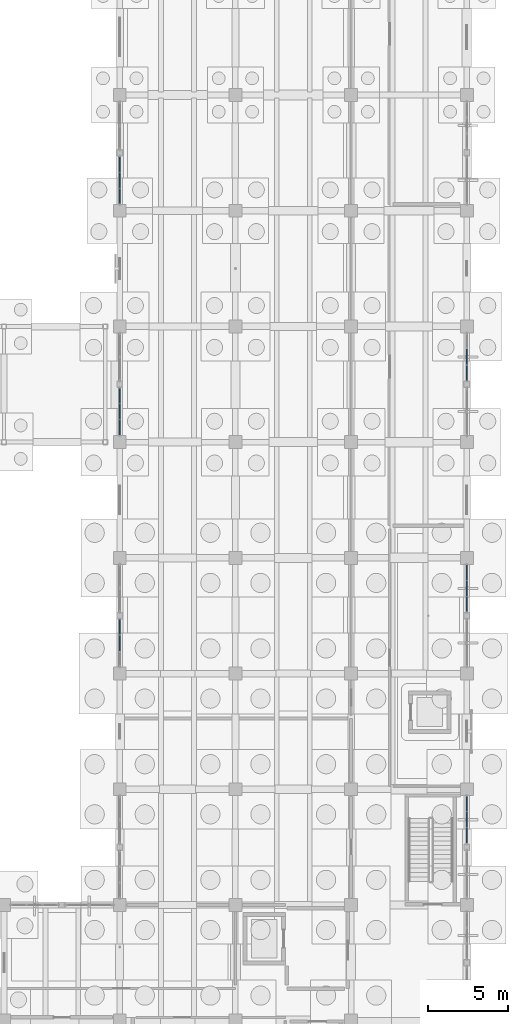
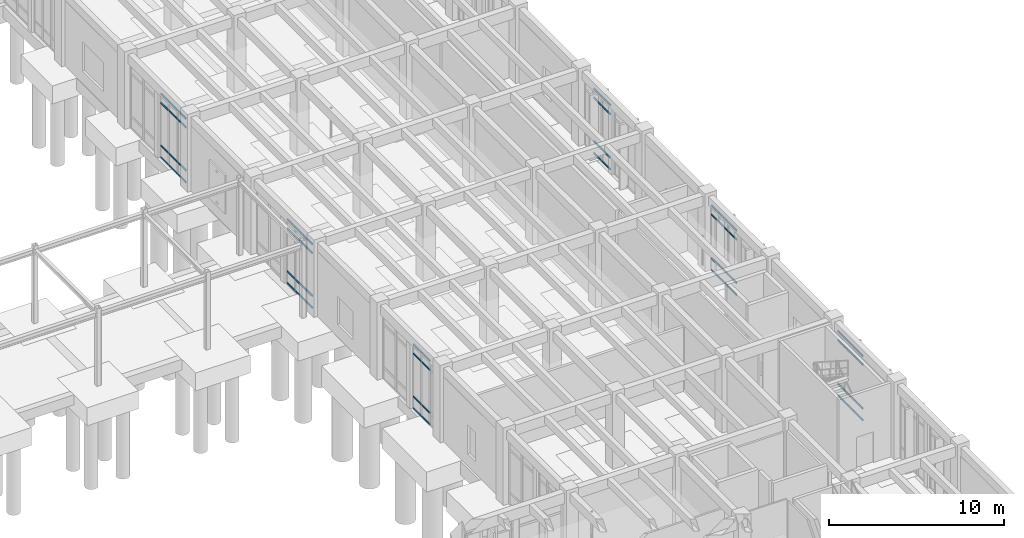
# One storey, part 46 of 93: 64 members, 6 elements without a shape of their own.
"""IFC4 building model written with IfcOpenShell, lengths in metres."""

import ifcopenshell
import ifcopenshell.guid

model = None  # the IFC model being written
_history = None  # IfcOwnerHistory: only IFC2X3 demands one
_inside = {}  # id of a spatial element -> (the spatial element, [elements in it])
_under = {}  # id of a project, library or spatial element -> (it, [spatial elements below it])
_declared = {}  # id of a project -> (the project, [libraries it declares])
_typed = {}  # id of a type object -> (the type object, [elements of that type])
_made_of = {}  # id of a material, layer set ... -> (it, [elements and type objects made of it])


def new_model(schema):
    """Start an empty IFC model of exactly this schema.

    Asked for "IFC4X3", IfcOpenShell would pick the latest addendum, in which some entities
    have other attributes; the version numbers below select the first issue.
    IFC2X3 requires an IfcOwnerHistory on every rooted entity: one is made here for all.
    """
    global model, _history
    if schema == "IFC4X3":
        model = ifcopenshell.file(schema_version=(4, 3, 0, 0))
    else:
        model = ifcopenshell.file(schema=schema)
    _inside.clear()
    _under.clear()
    _declared.clear()
    _typed.clear()
    _made_of.clear()
    _history = None
    if model.schema == "IFC2X3":
        org = make("IfcOrganization", Name="unknown")
        user = make(
            "IfcPersonAndOrganization",
            ThePerson=make("IfcPerson", FamilyName="unknown"),
            TheOrganization=org,
        )
        app = make(
            "IfcApplication",
            ApplicationDeveloper=org,
            Version="unknown",
            ApplicationFullName="unknown",
            ApplicationIdentifier="unknown",
        )
        _history = make(
            "IfcOwnerHistory",
            OwningUser=user,
            OwningApplication=app,
            ChangeAction="ADDED",
            CreationDate=0,
        )
    return model


def make(cls, **values):
    """One entity of the class cls with the attributes given. An attribute that is None is left unset."""
    return model.create_entity(
        cls, **{name: value for name, value in values.items() if value is not None}
    )


def rooted(cls, **values):
    """An entity with a GlobalId (a new one), such as an element, a storey or a relation."""
    return make(cls, GlobalId=ifcopenshell.guid.new(), OwnerHistory=_history, **values)


def si_unit(unit_type, name, prefix=None):
    """IfcSIUnit, for example si_unit("LENGTHUNIT", "METRE", prefix="MILLI")."""
    return make("IfcSIUnit", UnitType=unit_type, Prefix=prefix, Name=name)


def assignment(units):
    """IfcUnitAssignment: the units of a project."""
    return None if units is None else make("IfcUnitAssignment", Units=units)


def point(xyz):
    """IfcCartesianPoint."""
    return None if xyz is None else make("IfcCartesianPoint", Coordinates=xyz)


def direction(xyz):
    """IfcDirection."""
    return None if xyz is None else make("IfcDirection", DirectionRatios=xyz)


def frame(location, z_axis=None, x_axis=None):
    """IfcAxis2Placement3D, a coordinate frame: its origin and axes. An axis left out is left unset."""
    return make(
        "IfcAxis2Placement3D",
        Location=point(location),
        Axis=direction(z_axis),
        RefDirection=direction(x_axis),
    )


def frame_2d(location, x_axis=None):
    """IfcAxis2Placement2D, a coordinate frame in the plane: its origin and x axis."""
    return make(
        "IfcAxis2Placement2D", Location=point(location), RefDirection=direction(x_axis)
    )


def origin():
    """The frame at (0, 0, 0) with its axes left unset."""
    return frame((0.0, 0.0, 0.0))


def origin_2d():
    """The frame at (0, 0) in the plane with its x axis left unset."""
    return frame_2d((0.0, 0.0))


def place(relative_to, where):
    """IfcLocalPlacement: puts the frame where relative to a parent placement (None: the world)."""
    return make(
        "IfcLocalPlacement", PlacementRelTo=relative_to, RelativePlacement=where
    )


def context(
    kind, dimensions, precision=None, world=None, true_north=None, identifier=None
):
    """IfcGeometricRepresentationContext, for example the 3D "Model" context."""
    return make(
        "IfcGeometricRepresentationContext",
        ContextIdentifier=identifier,
        ContextType=kind,
        CoordinateSpaceDimension=dimensions,
        Precision=precision,
        WorldCoordinateSystem=world,
        TrueNorth=true_north,
    )


def subcontext(parent, identifier, kind, view, scale=None):
    """IfcGeometricRepresentationSubContext, for example "Body" below "Model"."""
    return make(
        "IfcGeometricRepresentationSubContext",
        ContextIdentifier=identifier,
        ContextType=kind,
        ParentContext=parent,
        TargetScale=scale,
        TargetView=view,
    )


def project(units=None, contexts=None):
    """IfcProject with its units and contexts."""
    return rooted(
        "IfcProject",
        Name="project",
        RepresentationContexts=contexts,
        UnitsInContext=assignment(units),
    )


def spatial(cls, under=None, at=None, **own):
    """A site, building, storey or space (cls), placed at a placement, below another one or the project."""
    s = rooted(cls, ObjectPlacement=at, **own)
    if under is not None:
        _under.setdefault(under.id(), (under, []))[1].append(s)
    return s


def profile(cls, at=None, kind="AREA", **sizes):
    """A parametric profile (cls). Its sizes go by their IFC names, for example OverallWidth=200.0."""
    return make(cls, ProfileType=kind, Position=at, **sizes)


def rectangle(**sizes):
    """IfcRectangleProfileDef."""
    return profile("IfcRectangleProfileDef", **sizes)


def extrude(swept, where, along, depth):
    """IfcExtrudedAreaSolid: the profile swept, set in the frame where, extruded along a direction by depth."""
    return make(
        "IfcExtrudedAreaSolid",
        SweptArea=swept,
        Position=where,
        ExtrudedDirection=direction(along),
        Depth=depth,
    )


def shape(context_of_items, identifier, shape_type, items):
    """IfcShapeRepresentation: the items that make up one representation, for example the "Body"."""
    return make(
        "IfcShapeRepresentation",
        ContextOfItems=context_of_items,
        RepresentationIdentifier=identifier,
        RepresentationType=shape_type,
        Items=items,
    )


def material(Name=None, Category=None):
    """IfcMaterial."""
    return make("IfcMaterial", Name=Name, Category=Category)


def layer(
    of_material, thickness, ventilated=None, Name=None, Category=None, Priority=None
):
    """IfcMaterialLayer: one layer of a wall or slab, of a material (None: an air gap)."""
    return make(
        "IfcMaterialLayer",
        Material=of_material,
        LayerThickness=thickness,
        IsVentilated=ventilated,
        Name=Name,
        Category=Category,
        Priority=Priority,
    )


def layer_set(layers, Name=None):
    """IfcMaterialLayerSet."""
    return make("IfcMaterialLayerSet", MaterialLayers=layers, LayerSetName=Name)


def material_profile(
    of_material, cross_section, Name=None, Category=None, Priority=None
):
    """IfcMaterialProfile: a cross section and its material."""
    return make(
        "IfcMaterialProfile",
        Name=Name,
        Material=of_material,
        Profile=cross_section,
        Priority=Priority,
        Category=Category,
    )


def profile_set(profiles, Name=None, composite=None):
    """IfcMaterialProfileSet."""
    return make(
        "IfcMaterialProfileSet",
        Name=Name,
        MaterialProfiles=profiles,
        CompositeProfile=composite,
    )


def made_of(thing, what):
    """Note that an element or type object is made of a material, layer set ...; save() writes the relation."""
    if what is not None:
        _made_of.setdefault(what.id(), (what, []))[1].append(thing)
    return thing


def type_object(cls, material=None, **own):
    """A type object (cls), such as IfcWallType, which elements share."""
    return made_of(rooted(cls, **own), material)


def element(
    cls,
    number,
    at=None,
    inside=None,
    cuts=None,
    type_object=None,
    material=None,
    context=None,
    identifier="Body",
    shape_type=None,
    held_by="IfcProductDefinitionShape",
    body=None,
    shapes=None,
    **own,
):
    """One element of the class cls, such as IfcWall. Its Tag is "e" and its number.

    at: its placement. inside: the storey or other place that contains it. cuts: it is an
    opening in that element (IfcRelVoidsElement). A single representation is given by context,
    identifier, shape_type and body (its items); several are given by shapes. held_by: the class
    of the entity that holds the representations. save() writes the other relations.
    """
    e = rooted(cls, Tag="e%d" % number, ObjectPlacement=at, **own)
    if body is not None:
        shapes = [shape(context, identifier, shape_type, body)]
    if shapes is not None:
        e.Representation = make(held_by, Representations=shapes)
    if inside is not None:
        _inside.setdefault(inside.id(), (inside, []))[1].append(e)
    if cuts is not None:
        rooted(
            "IfcRelVoidsElement", RelatingBuildingElement=cuts, RelatedOpeningElement=e
        )
    if type_object is not None:
        _typed.setdefault(type_object.id(), (type_object, []))[1].append(e)
    return made_of(e, material)


def aggregate(whole, parts):
    """IfcRelAggregates: a whole, such as a stair, and the parts it consists of."""
    return rooted("IfcRelAggregates", RelatingObject=whole, RelatedObjects=parts)


def save(model, path):
    """Write the relations noted so far, then the file.

    IfcRelAggregates (storeys below a building ...), IfcRelContainedInSpatialStructure (elements
    in a storey), IfcRelDefinesByType, IfcRelAssociatesMaterial and IfcRelDeclares: one each for
    every whole, place, type object, material and project.
    """
    for whole, parts in _under.values():
        aggregate(whole, parts)
    for where, things in _inside.values():
        rooted(
            "IfcRelContainedInSpatialStructure",
            RelatedElements=things,
            RelatingStructure=where,
        )
    for kind, things in _typed.values():
        rooted("IfcRelDefinesByType", RelatedObjects=things, RelatingType=kind)
    for what, things in _made_of.values():
        rooted("IfcRelAssociatesMaterial", RelatedObjects=things, RelatingMaterial=what)
    for by, libraries in _declared.values():
        rooted("IfcRelDeclares", RelatingContext=by, RelatedDefinitions=libraries)
    model.write(path)


model = new_model("IFC4")

# Units and contexts
model_context = context("Model", 3, precision=1e-05, world=origin(), true_north=direction((0.0, 1.0)))
body_context = subcontext(model_context, "Body", "Model", "MODEL_VIEW")
ifc_project = project(units=[si_unit("LENGTHUNIT", "METRE"), si_unit("AREAUNIT", "SQUARE_METRE"), si_unit("VOLUMEUNIT", "CUBIC_METRE"), si_unit("PLANEANGLEUNIT", "RADIAN"), si_unit("MASSUNIT", "GRAM", prefix="KILO")], contexts=[model_context])

# Site, building, storey
site_placement = place(None, origin())
site = spatial("IfcSite", under=ifc_project, at=site_placement, CompositionType="ELEMENT")
building_placement = place(site_placement, origin())
building = spatial("IfcBuilding", under=site, at=building_placement, Name="Koriwan Promenade Central Fire Station", CompositionType="ELEMENT")
storey_placement = place(building_placement, origin())
storey = spatial("IfcBuildingStorey", under=building, at=storey_placement, Name="L00", CompositionType="ELEMENT", Elevation=0.0)

# Curtain wall, members
ifc_material_1 = material(Name="Aluminium EN AW-6063-T6 and low-E glazing", Category="aluminium")
ifc_layer_1 = layer(ifc_material_1, 0.159912109375, Name="Aluminium EN AW-6063-T6 and low-E glazing")
ifc_layer_set_1 = layer_set([ifc_layer_1], Name="Aluminium EN AW-6063-T6 and low-E glazing")
curtain_wall_type_1 = type_object("IfcCurtainWallType", Name="CurtainWall_51_300x449", PredefinedType="USERDEFINED", material=ifc_layer_set_1)
curtain_wall_1_placement = place(storey_placement, origin())
curtain_wall_1 = element("IfcCurtainWall", 1, at=curtain_wall_1_placement, inside=storey, type_object=curtain_wall_type_1, Name="V5 L00 unitised curtain wall 137", ObjectType="UNITISED CURTAIN WALL", PredefinedType="USERDEFINED")
ifc_material_2 = material(Name="Aluminium EN AW-6063-T6", Category="aluminium")
ifc_material_profile = material_profile(ifc_material_2, rectangle(XDim=0.06494140625, YDim=0.1201171875, at=origin_2d()), Name="ALU-TRN-65x120")
ifc_profile_set = profile_set([ifc_material_profile], Name="Aluminium EN AW-6063-T6")
member_type = type_object("IfcMemberType", Name="CWTransom_ALU-TRN-65x120", PredefinedType="USERDEFINED", material=ifc_profile_set)
member_1_placement = place(storey_placement, frame((151.199951171875, 30.232421875, 0.032470703125), z_axis=(0.0, 1.0, 0.0), x_axis=(-1.0, 0.0, 0.0)))
member_1 = element("IfcMember", 2, at=member_1_placement, type_object=member_type, Name="CW-51 transom 2.1", ObjectType="TRANSOM", PredefinedType="USERDEFINED", context=body_context, shape_type="SweptSolid", body=[
    extrude(rectangle(XDim=0.06494140625, YDim=0.1201171875, at=origin_2d()), origin(), (0.0, 0.0, 1.0), 0.93505859375),
])
member_2_placement = place(storey_placement, frame((151.199951171875, 30.232421875, 0.85009765625), z_axis=(0.0, 1.0, 0.0), x_axis=(-1.0, 0.0, 0.0)))
member_2 = element("IfcMember", 3, at=member_2_placement, type_object=member_type, Name="CW-51 transom 2.2", ObjectType="TRANSOM", PredefinedType="USERDEFINED", context=body_context, shape_type="SweptSolid", body=[
    extrude(rectangle(XDim=0.06494140625, YDim=0.1201171875, at=origin_2d()), origin(), (0.0, 0.0, 1.0), 0.93505859375),
])
member_3_placement = place(storey_placement, frame((151.199951171875, 30.232421875, 3.840087890625), z_axis=(0.0, 1.0, 0.0), x_axis=(-1.0, 0.0, 0.0)))
member_3 = element("IfcMember", 4, at=member_3_placement, type_object=member_type, Name="CW-51 transom 2.3", ObjectType="TRANSOM", PredefinedType="USERDEFINED", context=body_context, shape_type="SweptSolid", body=[
    extrude(rectangle(XDim=0.06494140625, YDim=0.1201171875, at=origin_2d()), origin(), (0.0, 0.0, 1.0), 0.93505859375),
])
member_4_placement = place(storey_placement, frame((151.199951171875, 30.232421875, 4.45751953125), z_axis=(0.0, 1.0, 0.0), x_axis=(-1.0, 0.0, 0.0)))
member_4 = element("IfcMember", 5, at=member_4_placement, type_object=member_type, Name="CW-51 transom 2.4", ObjectType="TRANSOM", PredefinedType="USERDEFINED", context=body_context, shape_type="SweptSolid", body=[
    extrude(rectangle(XDim=0.06494140625, YDim=0.1201171875, at=origin_2d()), origin(), (0.0, 0.0, 1.0), 0.93505859375),
])
member_5_placement = place(storey_placement, frame((151.199951171875, 31.232421875, 0.032470703125), z_axis=(0.0, 1.0, 0.0), x_axis=(-1.0, 0.0, 0.0)))
member_5 = element("IfcMember", 6, at=member_5_placement, type_object=member_type, Name="CW-51 transom 3.1", ObjectType="TRANSOM", PredefinedType="USERDEFINED", context=body_context, shape_type="SweptSolid", body=[
    extrude(rectangle(XDim=0.06494140625, YDim=0.1201171875, at=origin_2d()), origin(), (0.0, 0.0, 1.0), 0.902587890625),
])
member_6_placement = place(storey_placement, frame((151.199951171875, 31.232421875, 0.85009765625), z_axis=(0.0, 1.0, 0.0), x_axis=(-1.0, 0.0, 0.0)))
member_6 = element("IfcMember", 7, at=member_6_placement, type_object=member_type, Name="CW-51 transom 3.2", ObjectType="TRANSOM", PredefinedType="USERDEFINED", context=body_context, shape_type="SweptSolid", body=[
    extrude(rectangle(XDim=0.06494140625, YDim=0.1201171875, at=origin_2d()), origin(), (0.0, 0.0, 1.0), 0.902587890625),
])
member_7_placement = place(storey_placement, frame((151.199951171875, 31.232421875, 3.840087890625), z_axis=(0.0, 1.0, 0.0), x_axis=(-1.0, 0.0, 0.0)))
member_7 = element("IfcMember", 8, at=member_7_placement, type_object=member_type, Name="CW-51 transom 3.3", ObjectType="TRANSOM", PredefinedType="USERDEFINED", context=body_context, shape_type="SweptSolid", body=[
    extrude(rectangle(XDim=0.06494140625, YDim=0.1201171875, at=origin_2d()), origin(), (0.0, 0.0, 1.0), 0.902587890625),
])
member_8_placement = place(storey_placement, frame((151.199951171875, 31.232421875, 4.45751953125), z_axis=(0.0, 1.0, 0.0), x_axis=(-1.0, 0.0, 0.0)))
member_8 = element("IfcMember", 9, at=member_8_placement, type_object=member_type, Name="CW-51 transom 3.4", ObjectType="TRANSOM", PredefinedType="USERDEFINED", context=body_context, shape_type="SweptSolid", body=[
    extrude(rectangle(XDim=0.06494140625, YDim=0.1201171875, at=origin_2d()), origin(), (0.0, 0.0, 1.0), 0.902587890625),
])
aggregate(curtain_wall_1, [member_1, member_2, member_3, member_4, member_5, member_6, member_7, member_8])

curtain_wall_2_placement = place(storey_placement, origin())
curtain_wall_2 = element("IfcCurtainWall", 10, at=curtain_wall_2_placement, inside=storey, type_object=curtain_wall_type_1, Name="V5 L00 unitised curtain wall 139", ObjectType="UNITISED CURTAIN WALL", PredefinedType="USERDEFINED")
member_9_placement = place(storey_placement, frame((151.199951171875, 43.6650390625, 0.032470703125), z_axis=(0.0, 1.0, 0.0), x_axis=(-1.0, 0.0, 0.0)))
member_9 = element("IfcMember", 11, at=member_9_placement, type_object=member_type, Name="CW-51 transom 1.1", ObjectType="TRANSOM", PredefinedType="USERDEFINED", context=body_context, shape_type="SweptSolid", body=[
    extrude(rectangle(XDim=0.06494140625, YDim=0.1201171875, at=origin_2d()), origin(), (0.0, 0.0, 1.0), 0.90234375),
])
member_10_placement = place(storey_placement, frame((151.199951171875, 43.6650390625, 0.85009765625), z_axis=(0.0, 1.0, 0.0), x_axis=(-1.0, 0.0, 0.0)))
member_10 = element("IfcMember", 12, at=member_10_placement, type_object=member_type, Name="CW-51 transom 1.2", ObjectType="TRANSOM", PredefinedType="USERDEFINED", context=body_context, shape_type="SweptSolid", body=[
    extrude(rectangle(XDim=0.06494140625, YDim=0.1201171875, at=origin_2d()), origin(), (0.0, 0.0, 1.0), 0.90234375),
])
member_11_placement = place(storey_placement, frame((151.199951171875, 43.6650390625, 3.840087890625), z_axis=(0.0, 1.0, 0.0), x_axis=(-1.0, 0.0, 0.0)))
member_11 = element("IfcMember", 13, at=member_11_placement, type_object=member_type, Name="CW-51 transom 1.3", ObjectType="TRANSOM", PredefinedType="USERDEFINED", context=body_context, shape_type="SweptSolid", body=[
    extrude(rectangle(XDim=0.06494140625, YDim=0.1201171875, at=origin_2d()), origin(), (0.0, 0.0, 1.0), 0.90234375),
])
member_12_placement = place(storey_placement, frame((151.199951171875, 43.6650390625, 4.45751953125), z_axis=(0.0, 1.0, 0.0), x_axis=(-1.0, 0.0, 0.0)))
member_12 = element("IfcMember", 14, at=member_12_placement, type_object=member_type, Name="CW-51 transom 1.4", ObjectType="TRANSOM", PredefinedType="USERDEFINED", context=body_context, shape_type="SweptSolid", body=[
    extrude(rectangle(XDim=0.06494140625, YDim=0.1201171875, at=origin_2d()), origin(), (0.0, 0.0, 1.0), 0.90234375),
])
member_13_placement = place(storey_placement, frame((151.199951171875, 44.632568359375, 0.032470703125), z_axis=(0.0, 1.0, 0.0), x_axis=(-1.0, 0.0, 0.0)))
member_13 = element("IfcMember", 15, at=member_13_placement, type_object=member_type, Name="CW-51 transom 2.1", ObjectType="TRANSOM", PredefinedType="USERDEFINED", context=body_context, shape_type="SweptSolid", body=[
    extrude(rectangle(XDim=0.06494140625, YDim=0.1201171875, at=origin_2d()), origin(), (0.0, 0.0, 1.0), 0.934814453125),
])
member_14_placement = place(storey_placement, frame((151.199951171875, 44.632568359375, 0.85009765625), z_axis=(0.0, 1.0, 0.0), x_axis=(-1.0, 0.0, 0.0)))
member_14 = element("IfcMember", 16, at=member_14_placement, type_object=member_type, Name="CW-51 transom 2.2", ObjectType="TRANSOM", PredefinedType="USERDEFINED", context=body_context, shape_type="SweptSolid", body=[
    extrude(rectangle(XDim=0.06494140625, YDim=0.1201171875, at=origin_2d()), origin(), (0.0, 0.0, 1.0), 0.934814453125),
])
member_15_placement = place(storey_placement, frame((151.199951171875, 44.632568359375, 3.840087890625), z_axis=(0.0, 1.0, 0.0), x_axis=(-1.0, 0.0, 0.0)))
member_15 = element("IfcMember", 17, at=member_15_placement, type_object=member_type, Name="CW-51 transom 2.3", ObjectType="TRANSOM", PredefinedType="USERDEFINED", context=body_context, shape_type="SweptSolid", body=[
    extrude(rectangle(XDim=0.06494140625, YDim=0.1201171875, at=origin_2d()), origin(), (0.0, 0.0, 1.0), 0.934814453125),
])
member_16_placement = place(storey_placement, frame((151.199951171875, 44.632568359375, 4.45751953125), z_axis=(0.0, 1.0, 0.0), x_axis=(-1.0, 0.0, 0.0)))
member_16 = element("IfcMember", 18, at=member_16_placement, type_object=member_type, Name="CW-51 transom 2.4", ObjectType="TRANSOM", PredefinedType="USERDEFINED", context=body_context, shape_type="SweptSolid", body=[
    extrude(rectangle(XDim=0.06494140625, YDim=0.1201171875, at=origin_2d()), origin(), (0.0, 0.0, 1.0), 0.934814453125),
])
member_17_placement = place(storey_placement, frame((151.199951171875, 45.632568359375, 0.032470703125), z_axis=(0.0, 1.0, 0.0), x_axis=(-1.0, 0.0, 0.0)))
member_17 = element("IfcMember", 19, at=member_17_placement, type_object=member_type, Name="CW-51 transom 3.1", ObjectType="TRANSOM", PredefinedType="USERDEFINED", context=body_context, shape_type="SweptSolid", body=[
    extrude(rectangle(XDim=0.06494140625, YDim=0.1201171875, at=origin_2d()), origin(), (0.0, 0.0, 1.0), 0.90234375),
])
member_18_placement = place(storey_placement, frame((151.199951171875, 45.632568359375, 0.85009765625), z_axis=(0.0, 1.0, 0.0), x_axis=(-1.0, 0.0, 0.0)))
member_18 = element("IfcMember", 20, at=member_18_placement, type_object=member_type, Name="CW-51 transom 3.2", ObjectType="TRANSOM", PredefinedType="USERDEFINED", context=body_context, shape_type="SweptSolid", body=[
    extrude(rectangle(XDim=0.06494140625, YDim=0.1201171875, at=origin_2d()), origin(), (0.0, 0.0, 1.0), 0.90234375),
])
member_19_placement = place(storey_placement, frame((151.199951171875, 45.632568359375, 3.840087890625), z_axis=(0.0, 1.0, 0.0), x_axis=(-1.0, 0.0, 0.0)))
member_19 = element("IfcMember", 21, at=member_19_placement, type_object=member_type, Name="CW-51 transom 3.3", ObjectType="TRANSOM", PredefinedType="USERDEFINED", context=body_context, shape_type="SweptSolid", body=[
    extrude(rectangle(XDim=0.06494140625, YDim=0.1201171875, at=origin_2d()), origin(), (0.0, 0.0, 1.0), 0.90234375),
])
member_20_placement = place(storey_placement, frame((151.199951171875, 45.632568359375, 4.45751953125), z_axis=(0.0, 1.0, 0.0), x_axis=(-1.0, 0.0, 0.0)))
member_20 = element("IfcMember", 22, at=member_20_placement, type_object=member_type, Name="CW-51 transom 3.4", ObjectType="TRANSOM", PredefinedType="USERDEFINED", context=body_context, shape_type="SweptSolid", body=[
    extrude(rectangle(XDim=0.06494140625, YDim=0.1201171875, at=origin_2d()), origin(), (0.0, 0.0, 1.0), 0.90234375),
])
aggregate(curtain_wall_2, [member_9, member_10, member_11, member_12, member_13, member_14, member_15, member_16, member_17, member_18, member_19, member_20])

curtain_wall_3_placement = place(storey_placement, origin())
curtain_wall_3 = element("IfcCurtainWall", 23, at=curtain_wall_3_placement, inside=storey, type_object=curtain_wall_type_1, Name="V5 L00 unitised curtain wall 141", ObjectType="UNITISED CURTAIN WALL", PredefinedType="USERDEFINED")
member_21_placement = place(storey_placement, frame((151.199951171875, 58.06494140625, 0.032470703125), z_axis=(0.0, 1.0, 0.0), x_axis=(-1.0, 0.0, 0.0)))
member_21 = element("IfcMember", 24, at=member_21_placement, type_object=member_type, Name="CW-51 transom 1.1", ObjectType="TRANSOM", PredefinedType="USERDEFINED", context=body_context, shape_type="SweptSolid", body=[
    extrude(rectangle(XDim=0.06494140625, YDim=0.1201171875, at=origin_2d()), origin(), (0.0, 0.0, 1.0), 0.902587890625),
])
member_22_placement = place(storey_placement, frame((151.199951171875, 58.06494140625, 0.85009765625), z_axis=(0.0, 1.0, 0.0), x_axis=(-1.0, 0.0, 0.0)))
member_22 = element("IfcMember", 25, at=member_22_placement, type_object=member_type, Name="CW-51 transom 1.2", ObjectType="TRANSOM", PredefinedType="USERDEFINED", context=body_context, shape_type="SweptSolid", body=[
    extrude(rectangle(XDim=0.06494140625, YDim=0.1201171875, at=origin_2d()), origin(), (0.0, 0.0, 1.0), 0.902587890625),
])
member_23_placement = place(storey_placement, frame((151.199951171875, 58.06494140625, 3.840087890625), z_axis=(0.0, 1.0, 0.0), x_axis=(-1.0, 0.0, 0.0)))
member_23 = element("IfcMember", 26, at=member_23_placement, type_object=member_type, Name="CW-51 transom 1.3", ObjectType="TRANSOM", PredefinedType="USERDEFINED", context=body_context, shape_type="SweptSolid", body=[
    extrude(rectangle(XDim=0.06494140625, YDim=0.1201171875, at=origin_2d()), origin(), (0.0, 0.0, 1.0), 0.902587890625),
])
member_24_placement = place(storey_placement, frame((151.199951171875, 58.06494140625, 4.45751953125), z_axis=(0.0, 1.0, 0.0), x_axis=(-1.0, 0.0, 0.0)))
member_24 = element("IfcMember", 27, at=member_24_placement, type_object=member_type, Name="CW-51 transom 1.4", ObjectType="TRANSOM", PredefinedType="USERDEFINED", context=body_context, shape_type="SweptSolid", body=[
    extrude(rectangle(XDim=0.06494140625, YDim=0.1201171875, at=origin_2d()), origin(), (0.0, 0.0, 1.0), 0.902587890625),
])
member_25_placement = place(storey_placement, frame((151.199951171875, 59.032470703125, 0.032470703125), z_axis=(0.0, 1.0, 0.0), x_axis=(-1.0, 0.0, 0.0)))
member_25 = element("IfcMember", 28, at=member_25_placement, type_object=member_type, Name="CW-51 transom 2.1", ObjectType="TRANSOM", PredefinedType="USERDEFINED", context=body_context, shape_type="SweptSolid", body=[
    extrude(rectangle(XDim=0.06494140625, YDim=0.1201171875, at=origin_2d()), origin(), (0.0, 0.0, 1.0), 0.93505859375),
])
member_26_placement = place(storey_placement, frame((151.199951171875, 59.032470703125, 0.85009765625), z_axis=(0.0, 1.0, 0.0), x_axis=(-1.0, 0.0, 0.0)))
member_26 = element("IfcMember", 29, at=member_26_placement, type_object=member_type, Name="CW-51 transom 2.2", ObjectType="TRANSOM", PredefinedType="USERDEFINED", context=body_context, shape_type="SweptSolid", body=[
    extrude(rectangle(XDim=0.06494140625, YDim=0.1201171875, at=origin_2d()), origin(), (0.0, 0.0, 1.0), 0.93505859375),
])
member_27_placement = place(storey_placement, frame((151.199951171875, 59.032470703125, 3.840087890625), z_axis=(0.0, 1.0, 0.0), x_axis=(-1.0, 0.0, 0.0)))
member_27 = element("IfcMember", 30, at=member_27_placement, type_object=member_type, Name="CW-51 transom 2.3", ObjectType="TRANSOM", PredefinedType="USERDEFINED", context=body_context, shape_type="SweptSolid", body=[
    extrude(rectangle(XDim=0.06494140625, YDim=0.1201171875, at=origin_2d()), origin(), (0.0, 0.0, 1.0), 0.93505859375),
])
member_28_placement = place(storey_placement, frame((151.199951171875, 59.032470703125, 4.45751953125), z_axis=(0.0, 1.0, 0.0), x_axis=(-1.0, 0.0, 0.0)))
member_28 = element("IfcMember", 31, at=member_28_placement, type_object=member_type, Name="CW-51 transom 2.4", ObjectType="TRANSOM", PredefinedType="USERDEFINED", context=body_context, shape_type="SweptSolid", body=[
    extrude(rectangle(XDim=0.06494140625, YDim=0.1201171875, at=origin_2d()), origin(), (0.0, 0.0, 1.0), 0.93505859375),
])
member_29_placement = place(storey_placement, frame((151.199951171875, 60.032470703125, 0.032470703125), z_axis=(0.0, 1.0, 0.0), x_axis=(-1.0, 0.0, 0.0)))
member_29 = element("IfcMember", 32, at=member_29_placement, type_object=member_type, Name="CW-51 transom 3.1", ObjectType="TRANSOM", PredefinedType="USERDEFINED", context=body_context, shape_type="SweptSolid", body=[
    extrude(rectangle(XDim=0.06494140625, YDim=0.1201171875, at=origin_2d()), origin(), (0.0, 0.0, 1.0), 0.902587890625),
])
member_30_placement = place(storey_placement, frame((151.199951171875, 60.032470703125, 0.85009765625), z_axis=(0.0, 1.0, 0.0), x_axis=(-1.0, 0.0, 0.0)))
member_30 = element("IfcMember", 33, at=member_30_placement, type_object=member_type, Name="CW-51 transom 3.2", ObjectType="TRANSOM", PredefinedType="USERDEFINED", context=body_context, shape_type="SweptSolid", body=[
    extrude(rectangle(XDim=0.06494140625, YDim=0.1201171875, at=origin_2d()), origin(), (0.0, 0.0, 1.0), 0.902587890625),
])
member_31_placement = place(storey_placement, frame((151.199951171875, 60.032470703125, 3.840087890625), z_axis=(0.0, 1.0, 0.0), x_axis=(-1.0, 0.0, 0.0)))
member_31 = element("IfcMember", 34, at=member_31_placement, type_object=member_type, Name="CW-51 transom 3.3", ObjectType="TRANSOM", PredefinedType="USERDEFINED", context=body_context, shape_type="SweptSolid", body=[
    extrude(rectangle(XDim=0.06494140625, YDim=0.1201171875, at=origin_2d()), origin(), (0.0, 0.0, 1.0), 0.902587890625),
])
member_32_placement = place(storey_placement, frame((151.199951171875, 60.032470703125, 4.45751953125), z_axis=(0.0, 1.0, 0.0), x_axis=(-1.0, 0.0, 0.0)))
member_32 = element("IfcMember", 35, at=member_32_placement, type_object=member_type, Name="CW-51 transom 3.4", ObjectType="TRANSOM", PredefinedType="USERDEFINED", context=body_context, shape_type="SweptSolid", body=[
    extrude(rectangle(XDim=0.06494140625, YDim=0.1201171875, at=origin_2d()), origin(), (0.0, 0.0, 1.0), 0.902587890625),
])
aggregate(curtain_wall_3, [member_21, member_22, member_23, member_24, member_25, member_26, member_27, member_28, member_29, member_30, member_31, member_32])

ifc_layer_2 = layer(ifc_material_1, 0.159912109375, Name="Aluminium EN AW-6063-T6 and low-E glazing")
ifc_layer_set_2 = layer_set([ifc_layer_2], Name="Aluminium EN AW-6063-T6 and low-E glazing")
curtain_wall_type_2 = type_object("IfcCurtainWallType", Name="CurtainWall_59_300x454", PredefinedType="USERDEFINED", material=ifc_layer_set_2)
curtain_wall_4_placement = place(storey_placement, origin())
curtain_wall_4 = element("IfcCurtainWall", 36, at=curtain_wall_4_placement, inside=storey, type_object=curtain_wall_type_2, Name="V5 L00 unitised curtain wall 153", ObjectType="UNITISED CURTAIN WALL", PredefinedType="USERDEFINED")
member_33_placement = place(storey_placement, frame((172.800048828125, 48.967529296875, 0.032470703125), z_axis=(0.0, -1.0, 0.0), x_axis=(1.0, 0.0, 0.0)))
member_33 = element("IfcMember", 37, at=member_33_placement, type_object=member_type, Name="CW-59 transom 2.1", ObjectType="TRANSOM", PredefinedType="USERDEFINED", context=body_context, shape_type="SweptSolid", body=[
    extrude(rectangle(XDim=0.06494140625, YDim=0.1201171875, at=origin_2d()), origin(), (0.0, 0.0, 1.0), 0.93505859375),
])
member_34_placement = place(storey_placement, frame((172.800048828125, 48.967529296875, 0.85009765625), z_axis=(0.0, -1.0, 0.0), x_axis=(1.0, 0.0, 0.0)))
member_34 = element("IfcMember", 38, at=member_34_placement, type_object=member_type, Name="CW-59 transom 2.2", ObjectType="TRANSOM", PredefinedType="USERDEFINED", context=body_context, shape_type="SweptSolid", body=[
    extrude(rectangle(XDim=0.06494140625, YDim=0.1201171875, at=origin_2d()), origin(), (0.0, 0.0, 1.0), 0.93505859375),
])
member_35_placement = place(storey_placement, frame((172.800048828125, 48.967529296875, 3.889892578125), z_axis=(0.0, -1.0, 0.0), x_axis=(1.0, 0.0, 0.0)))
member_35 = element("IfcMember", 39, at=member_35_placement, type_object=member_type, Name="CW-59 transom 2.3", ObjectType="TRANSOM", PredefinedType="USERDEFINED", context=body_context, shape_type="SweptSolid", body=[
    extrude(rectangle(XDim=0.06494140625, YDim=0.1201171875, at=origin_2d()), origin(), (0.0, 0.0, 1.0), 0.93505859375),
])
member_36_placement = place(storey_placement, frame((172.800048828125, 48.967529296875, 4.507568359375), z_axis=(0.0, -1.0, 0.0), x_axis=(1.0, 0.0, 0.0)))
member_36 = element("IfcMember", 40, at=member_36_placement, type_object=member_type, Name="CW-59 transom 2.4", ObjectType="TRANSOM", PredefinedType="USERDEFINED", context=body_context, shape_type="SweptSolid", body=[
    extrude(rectangle(XDim=0.06494140625, YDim=0.1201171875, at=origin_2d()), origin(), (0.0, 0.0, 1.0), 0.93505859375),
])
member_37_placement = place(storey_placement, frame((172.800048828125, 47.967529296875, 0.032470703125), z_axis=(0.0, -1.0, 0.0), x_axis=(1.0, 0.0, 0.0)))
member_37 = element("IfcMember", 41, at=member_37_placement, type_object=member_type, Name="CW-59 transom 3.1", ObjectType="TRANSOM", PredefinedType="USERDEFINED", context=body_context, shape_type="SweptSolid", body=[
    extrude(rectangle(XDim=0.06494140625, YDim=0.1201171875, at=origin_2d()), origin(), (0.0, 0.0, 1.0), 0.902587890625),
])
member_38_placement = place(storey_placement, frame((172.800048828125, 47.967529296875, 0.85009765625), z_axis=(0.0, -1.0, 0.0), x_axis=(1.0, 0.0, 0.0)))
member_38 = element("IfcMember", 42, at=member_38_placement, type_object=member_type, Name="CW-59 transom 3.2", ObjectType="TRANSOM", PredefinedType="USERDEFINED", context=body_context, shape_type="SweptSolid", body=[
    extrude(rectangle(XDim=0.06494140625, YDim=0.1201171875, at=origin_2d()), origin(), (0.0, 0.0, 1.0), 0.902587890625),
])
member_39_placement = place(storey_placement, frame((172.800048828125, 47.967529296875, 3.889892578125), z_axis=(0.0, -1.0, 0.0), x_axis=(1.0, 0.0, 0.0)))
member_39 = element("IfcMember", 43, at=member_39_placement, type_object=member_type, Name="CW-59 transom 3.3", ObjectType="TRANSOM", PredefinedType="USERDEFINED", context=body_context, shape_type="SweptSolid", body=[
    extrude(rectangle(XDim=0.06494140625, YDim=0.1201171875, at=origin_2d()), origin(), (0.0, 0.0, 1.0), 0.902587890625),
])
member_40_placement = place(storey_placement, frame((172.800048828125, 47.967529296875, 4.507568359375), z_axis=(0.0, -1.0, 0.0), x_axis=(1.0, 0.0, 0.0)))
member_40 = element("IfcMember", 44, at=member_40_placement, type_object=member_type, Name="CW-59 transom 3.4", ObjectType="TRANSOM", PredefinedType="USERDEFINED", context=body_context, shape_type="SweptSolid", body=[
    extrude(rectangle(XDim=0.06494140625, YDim=0.1201171875, at=origin_2d()), origin(), (0.0, 0.0, 1.0), 0.902587890625),
])
aggregate(curtain_wall_4, [member_33, member_34, member_35, member_36, member_37, member_38, member_39, member_40])

curtain_wall_5_placement = place(storey_placement, origin())
curtain_wall_5 = element("IfcCurtainWall", 45, at=curtain_wall_5_placement, inside=storey, type_object=curtain_wall_type_2, Name="V5 L00 unitised curtain wall 155", ObjectType="UNITISED CURTAIN WALL", PredefinedType="USERDEFINED")
member_41_placement = place(storey_placement, frame((172.800048828125, 35.534912109375, 0.032470703125), z_axis=(0.0, -1.0, 0.0), x_axis=(1.0, 0.0, 0.0)))
member_41 = element("IfcMember", 46, at=member_41_placement, type_object=member_type, Name="CW-59 transom 1.1", ObjectType="TRANSOM", PredefinedType="USERDEFINED", context=body_context, shape_type="SweptSolid", body=[
    extrude(rectangle(XDim=0.06494140625, YDim=0.1201171875, at=origin_2d()), origin(), (0.0, 0.0, 1.0), 0.90234375),
])
member_42_placement = place(storey_placement, frame((172.800048828125, 35.534912109375, 0.85009765625), z_axis=(0.0, -1.0, 0.0), x_axis=(1.0, 0.0, 0.0)))
member_42 = element("IfcMember", 47, at=member_42_placement, type_object=member_type, Name="CW-59 transom 1.2", ObjectType="TRANSOM", PredefinedType="USERDEFINED", context=body_context, shape_type="SweptSolid", body=[
    extrude(rectangle(XDim=0.06494140625, YDim=0.1201171875, at=origin_2d()), origin(), (0.0, 0.0, 1.0), 0.90234375),
])
member_43_placement = place(storey_placement, frame((172.800048828125, 35.534912109375, 3.889892578125), z_axis=(0.0, -1.0, 0.0), x_axis=(1.0, 0.0, 0.0)))
member_43 = element("IfcMember", 48, at=member_43_placement, type_object=member_type, Name="CW-59 transom 1.3", ObjectType="TRANSOM", PredefinedType="USERDEFINED", context=body_context, shape_type="SweptSolid", body=[
    extrude(rectangle(XDim=0.06494140625, YDim=0.1201171875, at=origin_2d()), origin(), (0.0, 0.0, 1.0), 0.90234375),
])
member_44_placement = place(storey_placement, frame((172.800048828125, 35.534912109375, 4.507568359375), z_axis=(0.0, -1.0, 0.0), x_axis=(1.0, 0.0, 0.0)))
member_44 = element("IfcMember", 49, at=member_44_placement, type_object=member_type, Name="CW-59 transom 1.4", ObjectType="TRANSOM", PredefinedType="USERDEFINED", context=body_context, shape_type="SweptSolid", body=[
    extrude(rectangle(XDim=0.06494140625, YDim=0.1201171875, at=origin_2d()), origin(), (0.0, 0.0, 1.0), 0.90234375),
])
member_45_placement = place(storey_placement, frame((172.800048828125, 34.5673828125, 0.032470703125), z_axis=(0.0, -1.0, 0.0), x_axis=(1.0, 0.0, 0.0)))
member_45 = element("IfcMember", 50, at=member_45_placement, type_object=member_type, Name="CW-59 transom 2.1", ObjectType="TRANSOM", PredefinedType="USERDEFINED", context=body_context, shape_type="SweptSolid", body=[
    extrude(rectangle(XDim=0.06494140625, YDim=0.1201171875, at=origin_2d()), origin(), (0.0, 0.0, 1.0), 0.934814453125),
])
member_46_placement = place(storey_placement, frame((172.800048828125, 34.5673828125, 0.85009765625), z_axis=(0.0, -1.0, 0.0), x_axis=(1.0, 0.0, 0.0)))
member_46 = element("IfcMember", 51, at=member_46_placement, type_object=member_type, Name="CW-59 transom 2.2", ObjectType="TRANSOM", PredefinedType="USERDEFINED", context=body_context, shape_type="SweptSolid", body=[
    extrude(rectangle(XDim=0.06494140625, YDim=0.1201171875, at=origin_2d()), origin(), (0.0, 0.0, 1.0), 0.934814453125),
])
member_47_placement = place(storey_placement, frame((172.800048828125, 34.5673828125, 3.889892578125), z_axis=(0.0, -1.0, 0.0), x_axis=(1.0, 0.0, 0.0)))
member_47 = element("IfcMember", 52, at=member_47_placement, type_object=member_type, Name="CW-59 transom 2.3", ObjectType="TRANSOM", PredefinedType="USERDEFINED", context=body_context, shape_type="SweptSolid", body=[
    extrude(rectangle(XDim=0.06494140625, YDim=0.1201171875, at=origin_2d()), origin(), (0.0, 0.0, 1.0), 0.934814453125),
])
member_48_placement = place(storey_placement, frame((172.800048828125, 34.5673828125, 4.507568359375), z_axis=(0.0, -1.0, 0.0), x_axis=(1.0, 0.0, 0.0)))
member_48 = element("IfcMember", 53, at=member_48_placement, type_object=member_type, Name="CW-59 transom 2.4", ObjectType="TRANSOM", PredefinedType="USERDEFINED", context=body_context, shape_type="SweptSolid", body=[
    extrude(rectangle(XDim=0.06494140625, YDim=0.1201171875, at=origin_2d()), origin(), (0.0, 0.0, 1.0), 0.934814453125),
])
member_49_placement = place(storey_placement, frame((172.800048828125, 33.5673828125, 0.032470703125), z_axis=(0.0, -1.0, 0.0), x_axis=(1.0, 0.0, 0.0)))
member_49 = element("IfcMember", 54, at=member_49_placement, type_object=member_type, Name="CW-59 transom 3.1", ObjectType="TRANSOM", PredefinedType="USERDEFINED", context=body_context, shape_type="SweptSolid", body=[
    extrude(rectangle(XDim=0.06494140625, YDim=0.1201171875, at=origin_2d()), origin(), (0.0, 0.0, 1.0), 0.90234375),
])
member_50_placement = place(storey_placement, frame((172.800048828125, 33.5673828125, 0.85009765625), z_axis=(0.0, -1.0, 0.0), x_axis=(1.0, 0.0, 0.0)))
member_50 = element("IfcMember", 55, at=member_50_placement, type_object=member_type, Name="CW-59 transom 3.2", ObjectType="TRANSOM", PredefinedType="USERDEFINED", context=body_context, shape_type="SweptSolid", body=[
    extrude(rectangle(XDim=0.06494140625, YDim=0.1201171875, at=origin_2d()), origin(), (0.0, 0.0, 1.0), 0.90234375),
])
member_51_placement = place(storey_placement, frame((172.800048828125, 33.5673828125, 3.889892578125), z_axis=(0.0, -1.0, 0.0), x_axis=(1.0, 0.0, 0.0)))
member_51 = element("IfcMember", 56, at=member_51_placement, type_object=member_type, Name="CW-59 transom 3.3", ObjectType="TRANSOM", PredefinedType="USERDEFINED", context=body_context, shape_type="SweptSolid", body=[
    extrude(rectangle(XDim=0.06494140625, YDim=0.1201171875, at=origin_2d()), origin(), (0.0, 0.0, 1.0), 0.90234375),
])
member_52_placement = place(storey_placement, frame((172.800048828125, 33.5673828125, 4.507568359375), z_axis=(0.0, -1.0, 0.0), x_axis=(1.0, 0.0, 0.0)))
member_52 = element("IfcMember", 57, at=member_52_placement, type_object=member_type, Name="CW-59 transom 3.4", ObjectType="TRANSOM", PredefinedType="USERDEFINED", context=body_context, shape_type="SweptSolid", body=[
    extrude(rectangle(XDim=0.06494140625, YDim=0.1201171875, at=origin_2d()), origin(), (0.0, 0.0, 1.0), 0.90234375),
])
aggregate(curtain_wall_5, [member_41, member_42, member_43, member_44, member_45, member_46, member_47, member_48, member_49, member_50, member_51, member_52])

curtain_wall_6_placement = place(storey_placement, origin())
curtain_wall_6 = element("IfcCurtainWall", 58, at=curtain_wall_6_placement, inside=storey, type_object=curtain_wall_type_2, Name="V5 L00 unitised curtain wall 157", ObjectType="UNITISED CURTAIN WALL", PredefinedType="USERDEFINED")
member_53_placement = place(storey_placement, frame((172.800048828125, 21.135009765625, 0.032470703125), z_axis=(0.0, -1.0, 0.0), x_axis=(1.0, 0.0, 0.0)))
member_53 = element("IfcMember", 59, at=member_53_placement, type_object=member_type, Name="CW-59 transom 1.1", ObjectType="TRANSOM", PredefinedType="USERDEFINED", context=body_context, shape_type="SweptSolid", body=[
    extrude(rectangle(XDim=0.06494140625, YDim=0.1201171875, at=origin_2d()), origin(), (0.0, 0.0, 1.0), 0.902587890625),
])
member_54_placement = place(storey_placement, frame((172.800048828125, 21.135009765625, 0.85009765625), z_axis=(0.0, -1.0, 0.0), x_axis=(1.0, 0.0, 0.0)))
member_54 = element("IfcMember", 60, at=member_54_placement, type_object=member_type, Name="CW-59 transom 1.2", ObjectType="TRANSOM", PredefinedType="USERDEFINED", context=body_context, shape_type="SweptSolid", body=[
    extrude(rectangle(XDim=0.06494140625, YDim=0.1201171875, at=origin_2d()), origin(), (0.0, 0.0, 1.0), 0.902587890625),
])
member_55_placement = place(storey_placement, frame((172.800048828125, 21.135009765625, 3.889892578125), z_axis=(0.0, -1.0, 0.0), x_axis=(1.0, 0.0, 0.0)))
member_55 = element("IfcMember", 61, at=member_55_placement, type_object=member_type, Name="CW-59 transom 1.3", ObjectType="TRANSOM", PredefinedType="USERDEFINED", context=body_context, shape_type="SweptSolid", body=[
    extrude(rectangle(XDim=0.06494140625, YDim=0.1201171875, at=origin_2d()), origin(), (0.0, 0.0, 1.0), 0.902587890625),
])
member_56_placement = place(storey_placement, frame((172.800048828125, 21.135009765625, 4.507568359375), z_axis=(0.0, -1.0, 0.0), x_axis=(1.0, 0.0, 0.0)))
member_56 = element("IfcMember", 62, at=member_56_placement, type_object=member_type, Name="CW-59 transom 1.4", ObjectType="TRANSOM", PredefinedType="USERDEFINED", context=body_context, shape_type="SweptSolid", body=[
    extrude(rectangle(XDim=0.06494140625, YDim=0.1201171875, at=origin_2d()), origin(), (0.0, 0.0, 1.0), 0.902587890625),
])
member_57_placement = place(storey_placement, frame((172.800048828125, 20.16748046875, 0.032470703125), z_axis=(0.0, -1.0, 0.0), x_axis=(1.0, 0.0, 0.0)))
member_57 = element("IfcMember", 63, at=member_57_placement, type_object=member_type, Name="CW-59 transom 2.1", ObjectType="TRANSOM", PredefinedType="USERDEFINED", context=body_context, shape_type="SweptSolid", body=[
    extrude(rectangle(XDim=0.06494140625, YDim=0.1201171875, at=origin_2d()), origin(), (0.0, 0.0, 1.0), 0.93505859375),
])
member_58_placement = place(storey_placement, frame((172.800048828125, 20.16748046875, 0.85009765625), z_axis=(0.0, -1.0, 0.0), x_axis=(1.0, 0.0, 0.0)))
member_58 = element("IfcMember", 64, at=member_58_placement, type_object=member_type, Name="CW-59 transom 2.2", ObjectType="TRANSOM", PredefinedType="USERDEFINED", context=body_context, shape_type="SweptSolid", body=[
    extrude(rectangle(XDim=0.06494140625, YDim=0.1201171875, at=origin_2d()), origin(), (0.0, 0.0, 1.0), 0.93505859375),
])
member_59_placement = place(storey_placement, frame((172.800048828125, 20.16748046875, 3.889892578125), z_axis=(0.0, -1.0, 0.0), x_axis=(1.0, 0.0, 0.0)))
member_59 = element("IfcMember", 65, at=member_59_placement, type_object=member_type, Name="CW-59 transom 2.3", ObjectType="TRANSOM", PredefinedType="USERDEFINED", context=body_context, shape_type="SweptSolid", body=[
    extrude(rectangle(XDim=0.06494140625, YDim=0.1201171875, at=origin_2d()), origin(), (0.0, 0.0, 1.0), 0.93505859375),
])
member_60_placement = place(storey_placement, frame((172.800048828125, 20.16748046875, 4.507568359375), z_axis=(0.0, -1.0, 0.0), x_axis=(1.0, 0.0, 0.0)))
member_60 = element("IfcMember", 66, at=member_60_placement, type_object=member_type, Name="CW-59 transom 2.4", ObjectType="TRANSOM", PredefinedType="USERDEFINED", context=body_context, shape_type="SweptSolid", body=[
    extrude(rectangle(XDim=0.06494140625, YDim=0.1201171875, at=origin_2d()), origin(), (0.0, 0.0, 1.0), 0.93505859375),
])
member_61_placement = place(storey_placement, frame((172.800048828125, 19.16748046875, 0.032470703125), z_axis=(0.0, -1.0, 0.0), x_axis=(1.0, 0.0, 0.0)))
member_61 = element("IfcMember", 67, at=member_61_placement, type_object=member_type, Name="CW-59 transom 3.1", ObjectType="TRANSOM", PredefinedType="USERDEFINED", context=body_context, shape_type="SweptSolid", body=[
    extrude(rectangle(XDim=0.06494140625, YDim=0.1201171875, at=origin_2d()), origin(), (0.0, 0.0, 1.0), 0.902587890625),
])
member_62_placement = place(storey_placement, frame((172.800048828125, 19.16748046875, 0.85009765625), z_axis=(0.0, -1.0, 0.0), x_axis=(1.0, 0.0, 0.0)))
member_62 = element("IfcMember", 68, at=member_62_placement, type_object=member_type, Name="CW-59 transom 3.2", ObjectType="TRANSOM", PredefinedType="USERDEFINED", context=body_context, shape_type="SweptSolid", body=[
    extrude(rectangle(XDim=0.06494140625, YDim=0.1201171875, at=origin_2d()), origin(), (0.0, 0.0, 1.0), 0.902587890625),
])
member_63_placement = place(storey_placement, frame((172.800048828125, 19.16748046875, 3.889892578125), z_axis=(0.0, -1.0, 0.0), x_axis=(1.0, 0.0, 0.0)))
member_63 = element("IfcMember", 69, at=member_63_placement, type_object=member_type, Name="CW-59 transom 3.3", ObjectType="TRANSOM", PredefinedType="USERDEFINED", context=body_context, shape_type="SweptSolid", body=[
    extrude(rectangle(XDim=0.06494140625, YDim=0.1201171875, at=origin_2d()), origin(), (0.0, 0.0, 1.0), 0.902587890625),
])
member_64_placement = place(storey_placement, frame((172.800048828125, 19.16748046875, 4.507568359375), z_axis=(0.0, -1.0, 0.0), x_axis=(1.0, 0.0, 0.0)))
member_64 = element("IfcMember", 70, at=member_64_placement, type_object=member_type, Name="CW-59 transom 3.4", ObjectType="TRANSOM", PredefinedType="USERDEFINED", context=body_context, shape_type="SweptSolid", body=[
    extrude(rectangle(XDim=0.06494140625, YDim=0.1201171875, at=origin_2d()), origin(), (0.0, 0.0, 1.0), 0.902587890625),
])
aggregate(curtain_wall_6, [member_53, member_54, member_55, member_56, member_57, member_58, member_59, member_60, member_61, member_62, member_63, member_64])

save(model, "model.ifc")
